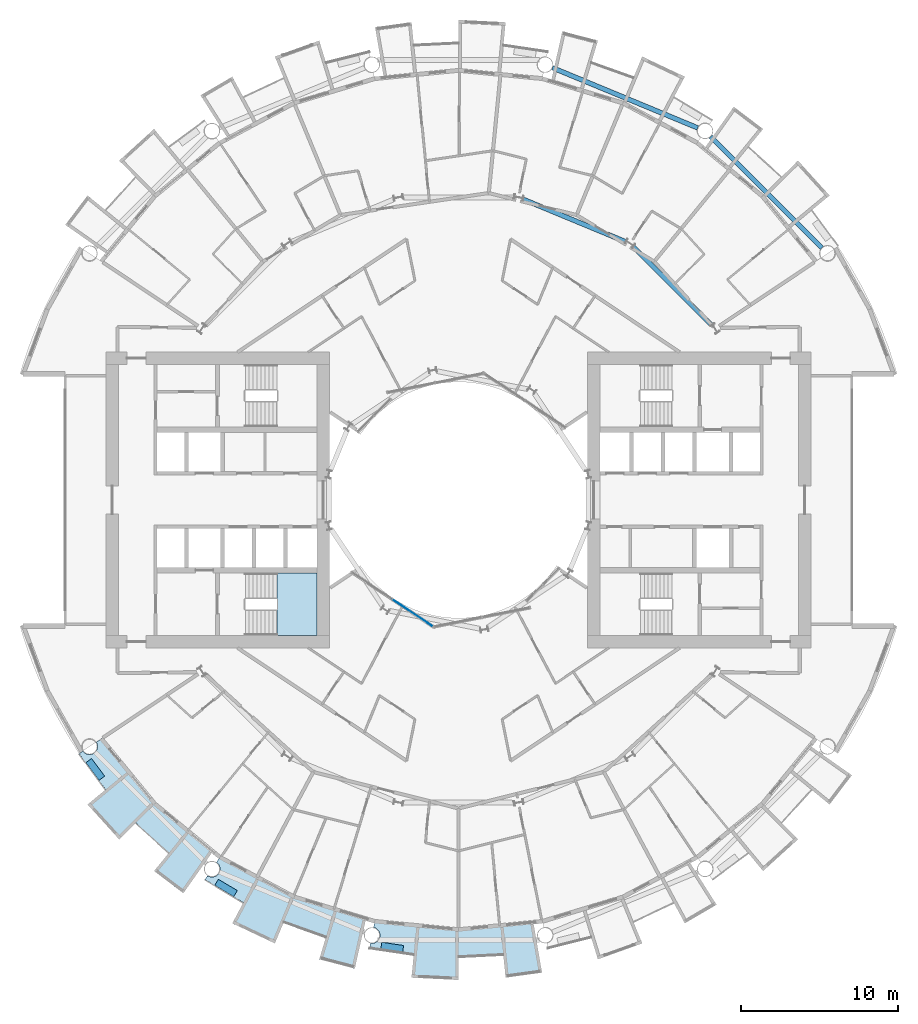
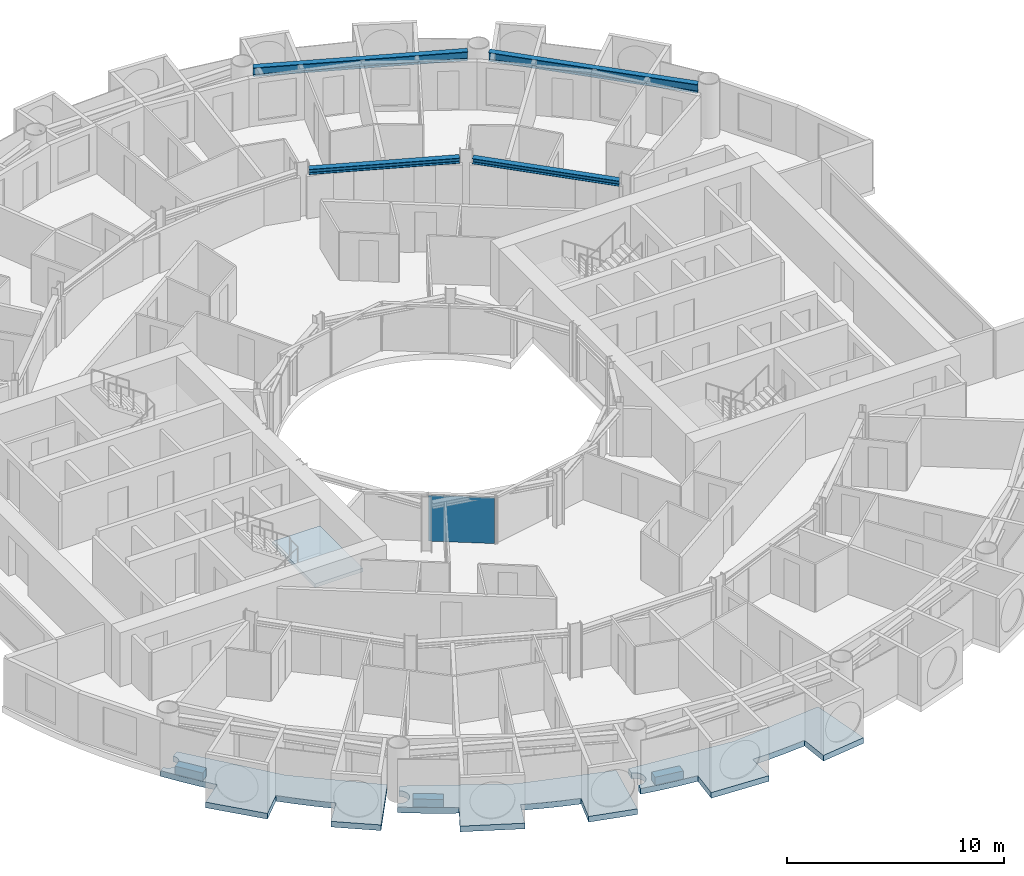
# One storey, part 9 of 26: 7 slabs, 4 beams, 1 plate, 2 elements without a shape of their own.
"""IFC4 building model written with IfcOpenShell, lengths in metres."""

from ifc_helpers import new_model, si_unit, direction, frame, origin, origin_2d, place, context, subcontext, project, spatial, polyline, rectangle, i_section, outline, extrude, material, layer, layer_set, material_profile, profile_set, type_object, element, aggregate, save


model = new_model("IFC4")

# Units and contexts
model_context = context("Model", 3, precision=1e-05, world=origin(), true_north=direction((0.0, 1.0)))
body_context = subcontext(model_context, "Body", "Model", "MODEL_VIEW")
ifc_project = project(units=[si_unit("LENGTHUNIT", "METRE"), si_unit("AREAUNIT", "SQUARE_METRE"), si_unit("VOLUMEUNIT", "CUBIC_METRE"), si_unit("PLANEANGLEUNIT", "RADIAN"), si_unit("MASSUNIT", "GRAM", prefix="KILO")], contexts=[model_context])

# Site, building, storey
site_placement = place(None, origin())
site = spatial("IfcSite", under=ifc_project, at=site_placement, CompositionType="ELEMENT")
building_placement = place(site_placement, origin())
building = spatial("IfcBuilding", under=site, at=building_placement, Name="Maasbend Ring Residences", CompositionType="ELEMENT")
storey_placement = place(building_placement, frame((0.0, 0.0, 31.949951171875)))
storey = spatial("IfcBuildingStorey", under=building, at=storey_placement, Name="L08", CompositionType="ELEMENT", Elevation=31.949951171875)

# Beams
ifc_material_1 = material(Name="Steel S355J2", Category="steel")
ifc_material_profile_1 = material_profile(ifc_material_1, i_section(OverallWidth=0.300048828125, OverallDepth=0.300048828125, WebThickness=0.010986328125, FlangeThickness=0.01904296875, FilletRadius=0.027099609375, at=origin_2d()), Name="HEB 300")
ifc_profile_set_1 = profile_set([ifc_material_profile_1], Name="Steel S355J2")
beam_type_1 = type_object("IfcBeamType", Name="Corridor ring beam HEB 300", PredefinedType="BEAM", material=ifc_profile_set_1)
beam_1_placement = place(storey_placement, frame((16.0732421875, 11.11279296875, 2.550048828125), z_axis=(-0.707106781187, 0.707106781187, 0.0), x_axis=(-0.707106781187, -0.707106781187, 0.0)))
element("IfcBeam", 1, at=beam_1_placement, inside=storey, type_object=beam_type_1, Name="Corridor ring beam", PredefinedType="BEAM", context=body_context, shape_type="SweptSolid", body=[
    extrude(i_section(OverallWidth=0.300048828125, OverallDepth=0.300048828125, WebThickness=0.010986328125, FlangeThickness=0.01904296875, FilletRadius=0.027099609375, at=origin_2d()), origin(), (0.0, 0.0, 1.0), 7.01513671875),
])
beam_2_placement = place(storey_placement, frame((10.59716796875, 16.417724609375, 2.550048828125), z_axis=(-0.923886196809, 0.38266734293, 0.0), x_axis=(-0.38266734293, -0.923886196809, 0.0)))
element("IfcBeam", 2, at=beam_2_placement, inside=storey, type_object=beam_type_1, Name="Corridor ring beam", PredefinedType="BEAM", context=body_context, shape_type="SweptSolid", body=[
    extrude(i_section(OverallWidth=0.300048828125, OverallDepth=0.300048828125, WebThickness=0.010986328125, FlangeThickness=0.01904296875, FilletRadius=0.027099609375, at=origin_2d()), origin(), (0.0, 0.0, 1.0), 7.015380859375),
])
ifc_material_2 = material(Name="Steel S355J2", Category="steel")
ifc_material_profile_2 = material_profile(ifc_material_2, i_section(OverallWidth=0.300048828125, OverallDepth=0.5, WebThickness=0.014404296875, FlangeThickness=0.028076171875, FilletRadius=0.027099609375, at=origin_2d()), Name="HEB 500")
ifc_profile_set_2 = profile_set([ifc_material_profile_2], Name="Steel S355J2")
beam_type_2 = type_object("IfcBeamType", Name="Spandrel ring beam HEB 500", PredefinedType="SPANDREL", material=ifc_profile_set_2)
beam_3_placement = place(storey_placement, frame((23.088134765625, 16.0263671875, 2.449951171875), z_axis=(-0.707106781187, 0.707106781187, 0.0), x_axis=(-0.707106781187, -0.707106781187, 0.0)))
element("IfcBeam", 3, at=beam_3_placement, inside=storey, type_object=beam_type_2, Name="Spandrel ring beam", PredefinedType="SPANDREL", context=body_context, shape_type="SweptSolid", body=[
    extrude(i_section(OverallWidth=0.300048828125, OverallDepth=0.5, WebThickness=0.014404296875, FlangeThickness=0.028076171875, FilletRadius=0.027099609375, at=origin_2d()), origin(), (0.0, 0.0, 1.0), 9.98681640625),
])
beam_4_placement = place(storey_placement, frame((15.19775390625, 23.641845703125, 2.449951171875), z_axis=(-0.923886337442, 0.382667003395, 0.0), x_axis=(-0.382667003395, -0.923886337442, 0.0)))
element("IfcBeam", 4, at=beam_4_placement, inside=storey, type_object=beam_type_2, Name="Spandrel ring beam", PredefinedType="SPANDREL", context=body_context, shape_type="SweptSolid", body=[
    extrude(i_section(OverallWidth=0.300048828125, OverallDepth=0.5, WebThickness=0.014404296875, FlangeThickness=0.028076171875, FilletRadius=0.027099609375, at=origin_2d()), origin(), (0.0, 0.0, 1.0), 9.9873046875),
])

# Stair, slab
ifc_material_3 = material(Name="Concrete C40/50", Category="concrete")
stair_type = type_object("IfcStairType", Name="CORE STAIR 18 RISERS", PredefinedType="HALF_TURN_STAIR", material=ifc_material_3)
stair_placement = place(storey_placement, origin())
stair = element("IfcStair", 5, at=stair_placement, inside=storey, type_object=stair_type, Name="L08 Exit stair ST-W1", PredefinedType="HALF_TURN_STAIR")
ifc_material_4 = material(Name="Concrete C40/50", Category="concrete")
ifc_layer_1 = layer(ifc_material_4, 0.199951171875)
ifc_layer_set_1 = layer_set([ifc_layer_1], Name="Concrete C40/50")
slab_type_1 = type_object("IfcSlabType", Name="CORE STAIR LANDING 200", PredefinedType="LANDING", material=ifc_layer_set_1)
slab_1_placement = place(storey_placement, frame((0.0, 0.0, 1.324951171875)))
slab_1 = element("IfcSlab", 6, at=slab_1_placement, type_object=slab_type_1, Name="ST-W1 landing 1", PredefinedType="LANDING", context=body_context, shape_type="SweptSolid", body=[
    extrude(outline(polyline([(-11.550048828125, -8.60009765625), (-9.0, -8.60009765625), (-9.0, -4.64990234375), (-11.550048828125, -4.64990234375), (-11.550048828125, -8.60009765625)])), origin(), (0.0, 0.0, 1.0), 0.2001953125),
])
aggregate(stair, [slab_1])

# Curtain wall, plate
ifc_material_5 = material(Name="Aluminium and clear glass", Category="aluminium")
ifc_layer_2 = layer(ifc_material_5, 0.179931640625)
ifc_layer_set_2 = layer_set([ifc_layer_2], Name="CW-W")
curtain_wall_type = type_object("IfcCurtainWallType", Name="CW-W", PredefinedType="NOTDEFINED", material=ifc_layer_set_2)
curtain_wall_placement = place(storey_placement, origin())
curtain_wall = element("IfcCurtainWall", 7, at=curtain_wall_placement, inside=storey, type_object=curtain_wall_type, Name="Well curtain wall S1", PredefinedType="NOTDEFINED")
ifc_material_6 = material(Name="Glass clear laminated", Category="glass")
ifc_layer_3 = layer(ifc_material_6, 0.031982421875)
ifc_layer_set_3 = layer_set([ifc_layer_3], Name="CWP-W")
plate_type = type_object("IfcPlateType", Name="CWP-W", PredefinedType="CURTAIN_PANEL", material=ifc_layer_set_3)
plate_placement = place(storey_placement, frame((-2.922119140625, -7.17578125, 0.0), z_axis=(0.0, 0.0, 1.0), x_axis=(0.831469612303, -0.55557023302, 0.0)))
plate = element("IfcPlate", 8, at=plate_placement, type_object=plate_type, Name="Glass panel well face", PredefinedType="CURTAIN_PANEL", context=body_context, shape_type="SweptSolid", body=[
    extrude(rectangle(XDim=3.053955078125, YDim=0.031982421875, at=origin_2d()), origin(), (0.0, 0.0, 1.0), 2.580078125),
])
aggregate(curtain_wall, [plate])

# Slabs
ifc_material_7 = material(Name="Planting with climbing greenery")
ifc_layer_4 = layer(ifc_material_7, 0.449951171875)
ifc_layer_set_4 = layer_set([ifc_layer_4], Name="PLANTER-LG")
slab_type_2 = type_object("IfcSlabType", Name="PLANTER-LG", PredefinedType="USERDEFINED", material=ifc_layer_set_4)
slab_2_placement = place(storey_placement, frame((0.0, 0.0, -0.030029296875)))
element("IfcSlab", 9, at=slab_2_placement, inside=storey, type_object=slab_type_2, Name="Planter with climbing greenery 1", ObjectType="PLANTER", PredefinedType="USERDEFINED", context=body_context, shape_type="SweptSolid", body=[
    extrude(outline(polyline([(-23.681884765625, -16.69189453125), (-22.847900390625, -17.81689453125), (-22.487060546875, -17.549072265625), (-23.321044921875, -16.424072265625), (-23.681884765625, -16.69189453125)])), origin(), (0.0, 0.0, 1.0), 0.4501953125),
])
slab_3_placement = place(storey_placement, frame((0.0, 0.0, -0.030029296875)))
element("IfcSlab", 10, at=slab_3_placement, inside=storey, type_object=slab_type_2, Name="Planter with climbing greenery 2", ObjectType="PLANTER", PredefinedType="USERDEFINED", context=body_context, shape_type="SweptSolid", body=[
    extrude(outline(polyline([(-15.490966796875, -24.48388671875), (-14.291015625, -25.2041015625), (-14.05908203125, -24.818115234375), (-15.260009765625, -24.097900390625), (-15.490966796875, -24.48388671875)])), origin(), (0.0, 0.0, 1.0), 0.4501953125),
])
slab_4_placement = place(storey_placement, frame((0.0, 0.0, -0.030029296875)))
element("IfcSlab", 11, at=slab_4_placement, inside=storey, type_object=slab_type_2, Name="Planter with climbing greenery 3", ObjectType="PLANTER", PredefinedType="USERDEFINED", context=body_context, shape_type="SweptSolid", body=[
    extrude(outline(polyline([(-4.94189453125, -28.549072265625), (-3.55810546875, -28.75390625), (-3.491943359375, -28.30908203125), (-4.8759765625, -28.10400390625), (-4.94189453125, -28.549072265625)])), origin(), (0.0, 0.0, 1.0), 0.4501953125),
])
ifc_material_8 = material(Name="Concrete C40/50", Category="concrete")
ifc_layer_5 = layer(ifc_material_8, 0.199951171875)
ifc_layer_set_5 = layer_set([ifc_layer_5], Name="Concrete C40/50")
slab_type_3 = type_object("IfcSlabType", Name="SL-LOGGIA", PredefinedType="FLOOR", material=ifc_layer_set_5)
slab_5_placement = place(storey_placement, frame((0.0, 0.0, -0.349853515625)))
element("IfcSlab", 12, at=slab_5_placement, inside=storey, type_object=slab_type_3, Name="Loggia floor 1", PredefinedType="FLOOR", context=body_context, shape_type="SweptSolid", body=[
    extrude(outline(polyline([(-15.9169921875, -23.888916015625), (-15.906982421875, -23.89501953125), (-15.89599609375, -23.90087890625), (-15.884033203125, -23.906982421875), (-15.873046875, -23.912109375), (-15.862060546875, -23.9169921875), (-15.85009765625, -23.9208984375), (-15.837890625, -23.926025390625), (-15.825927734375, -23.929931640625), (-15.81494140625, -23.93408203125), (-15.802978515625, -23.93701171875), (-15.791015625, -23.93994140625), (-15.778076171875, -23.943115234375), (-15.76611328125, -23.946044921875), (-15.75390625, -23.947998046875), (-15.741943359375, -23.949951171875), (-15.72900390625, -23.951904296875), (-15.717041015625, -23.952880859375), (-15.7041015625, -23.9541015625), (-15.69189453125, -23.955078125), (-15.679931640625, -23.955078125), (-15.6669921875, -23.955078125), (-15.655029296875, -23.955078125), (-15.64208984375, -23.955078125), (-15.6298828125, -23.9541015625), (-15.616943359375, -23.952880859375), (-15.60498046875, -23.951904296875), (-15.593017578125, -23.949951171875), (-15.580078125, -23.947998046875), (-15.568115234375, -23.946044921875), (-15.555908203125, -23.943115234375), (-15.5439453125, -23.93994140625), (-15.531982421875, -23.93701171875), (-15.52001953125, -23.93408203125), (-15.508056640625, -23.929931640625), (-15.49609375, -23.926025390625), (-15.48388671875, -23.9208984375), (-15.472900390625, -23.9169921875), (-15.4609375, -23.912109375), (-15.449951171875, -23.906982421875), (-15.43896484375, -23.90087890625), (-15.427978515625, -23.89501953125), (-15.4169921875, -23.888916015625), (-15.406005859375, -23.883056640625), (-15.39501953125, -23.876953125), (-15.385009765625, -23.8701171875), (-15.375, -23.863037109375), (-15.364013671875, -23.85498046875), (-15.35498046875, -23.847900390625), (-15.344970703125, -23.840087890625), (-15.3349609375, -23.83203125), (-15.325927734375, -23.823974609375), (-15.31689453125, -23.81494140625), (-15.30810546875, -23.806884765625), (-15.299072265625, -23.798095703125), (-15.291015625, -23.7890625), (-15.281982421875, -23.779052734375), (-15.27392578125, -23.77001953125), (-15.26708984375, -23.760009765625), (-15.259033203125, -23.75), (-15.251953125, -23.739990234375), (-15.2451171875, -23.72998046875), (-15.238037109375, -23.718994140625), (-15.23095703125, -23.708984375), (-15.22509765625, -23.697998046875), (-15.218994140625, -23.68701171875), (-15.212890625, -23.676025390625), (-15.2080078125, -23.6650390625), (-15.202880859375, -23.653076171875), (-15.197998046875, -23.64208984375), (-15.193115234375, -23.6298828125), (-15.18896484375, -23.618896484375), (-15.18505859375, -23.60693359375), (-15.180908203125, -23.594970703125), (-15.177978515625, -23.5830078125), (-15.174072265625, -23.571044921875), (-15.1708984375, -23.55908203125), (-15.1689453125, -23.547119140625), (-15.1669921875, -23.533935546875), (-15.1650390625, -23.52197265625), (-15.1630859375, -23.510009765625), (-15.162109375, -23.4970703125), (-15.159912109375, -23.485107421875), (-15.159912109375, -23.471923828125), (-15.158935546875, -23.4599609375), (-15.158935546875, -23.447021484375), (-15.158935546875, -23.43505859375), (-15.159912109375, -23.422119140625), (-15.159912109375, -23.409912109375), (-15.162109375, -23.39794921875), (-15.1630859375, -23.385009765625), (-15.1650390625, -23.373046875), (-15.1669921875, -23.361083984375), (-15.1689453125, -23.347900390625), (-15.1708984375, -23.3359375), (-15.174072265625, -23.323974609375), (-15.177978515625, -23.31201171875), (-15.180908203125, -23.300048828125), (-15.18505859375, -23.2880859375), (-15.18896484375, -23.27587890625), (-15.193115234375, -23.264892578125), (-15.197998046875, -23.2529296875), (-15.202880859375, -23.241943359375), (-15.2080078125, -23.22998046875), (-15.212890625, -23.218994140625), (-15.218994140625, -23.2080078125), (-15.22509765625, -23.197021484375), (-15.23095703125, -23.18603515625), (-15.238037109375, -23.176025390625), (-15.2451171875, -23.1650390625), (-15.251953125, -23.155029296875), (-15.259033203125, -23.14501953125), (-15.26708984375, -23.135009765625), (-15.27392578125, -23.125), (-15.281982421875, -23.115966796875), (-15.291015625, -23.10595703125), (-15.299072265625, -23.096923828125), (-15.30810546875, -23.087890625), (-15.31689453125, -23.0791015625), (-15.325927734375, -23.071044921875), (-15.3349609375, -23.06298828125), (-15.344970703125, -23.054931640625), (-15.35498046875, -23.047119140625), (-15.364013671875, -23.0390625), (-15.375, -23.031982421875), (-15.385009765625, -23.02490234375), (-15.1669921875, -22.698974609375), (-15.1669921875, -22.698974609375), (-15.1669921875, -22.698974609375), (-12.806884765625, -23.9609375), (-10.447021484375, -25.221923828125), (-10.447021484375, -25.221923828125), (-10.447021484375, -25.221923828125), (-7.886962890625, -25.9990234375), (-5.89111328125, -26.60400390625), (-5.89111328125, -26.60400390625), (-5.89111328125, -26.60400390625), (-6.593994140625, -29.779052734375), (-6.593994140625, -29.779052734375), (-6.593994140625, -29.779052734375), (-8.85400390625, -29.18701171875), (-8.85400390625, -29.18701171875), (-8.85400390625, -29.18701171875), (-8.41796875, -27.751953125), (-8.41796875, -27.751953125), (-8.41796875, -27.751953125), (-8.41796875, -27.751953125), (-8.41796875, -27.751953125), (-8.41796875, -27.751953125), (-8.41796875, -27.7509765625), (-8.41796875, -27.7509765625), (-8.41796875, -27.7509765625), (-8.41796875, -27.7509765625), (-8.41796875, -27.7509765625), (-8.4189453125, -27.7509765625), (-8.4189453125, -27.7509765625), (-8.4189453125, -27.7509765625), (-8.4189453125, -27.7509765625), (-8.4189453125, -27.7509765625), (-8.4189453125, -27.7509765625), (-9.322021484375, -27.4609375), (-9.322021484375, -27.4609375), (-10.215087890625, -27.14111328125), (-10.215087890625, -27.14111328125), (-11.096923828125, -26.79296875), (-11.096923828125, -26.79296875), (-11.096923828125, -26.79296875), (-11.097900390625, -26.79296875), (-11.097900390625, -26.79296875), (-11.097900390625, -26.79296875), (-11.097900390625, -26.79296875), (-11.097900390625, -26.79296875), (-11.097900390625, -26.79296875), (-11.097900390625, -26.79296875), (-11.097900390625, -26.79296875), (-11.097900390625, -26.79296875), (-11.097900390625, -26.79296875), (-11.097900390625, -26.79296875), (-11.097900390625, -26.79296875), (-11.097900390625, -26.79296875), (-11.097900390625, -26.79296875), (-11.672119140625, -28.177978515625), (-11.672119140625, -28.177978515625), (-11.672119140625, -28.177978515625), (-14.3779296875, -26.89892578125), (-14.3779296875, -26.89892578125), (-14.3779296875, -26.89892578125), (-13.6708984375, -25.575927734375), (-13.6708984375, -25.575927734375), (-13.6708984375, -25.575927734375), (-13.6708984375, -25.575927734375), (-13.6708984375, -25.575927734375), (-13.6708984375, -25.575927734375), (-13.6708984375, -25.575927734375), (-13.6708984375, -25.575927734375), (-13.6708984375, -25.575927734375), (-13.6708984375, -25.575927734375), (-13.6708984375, -25.575927734375), (-13.6708984375, -25.575927734375), (-13.6708984375, -25.575927734375), (-13.6708984375, -25.575927734375), (-13.6708984375, -25.575927734375), (-13.6708984375, -25.575927734375), (-13.6708984375, -25.574951171875), (-14.5, -25.114990234375), (-14.5, -25.114990234375), (-15.31396484375, -24.626953125), (-15.31396484375, -24.626953125), (-16.112060546875, -24.113037109375), (-16.112060546875, -24.113037109375), (-16.112060546875, -24.113037109375), (-15.948974609375, -23.8701171875), (-15.93896484375, -23.876953125), (-15.927978515625, -23.883056640625), (-15.9169921875, -23.888916015625)])), origin(), (0.0, 0.0, 1.0), 0.31982421875),
])
slab_6_placement = place(storey_placement, frame((0.0, 0.0, -0.349853515625)))
element("IfcSlab", 13, at=slab_6_placement, inside=storey, type_object=slab_type_3, Name="Loggia floor 3", PredefinedType="FLOOR", context=body_context, shape_type="SweptSolid", body=[
    extrude(outline(polyline([(-2.6630859375, -27.0380859375), (0.0, -27.300048828125), (0.0, -27.300048828125), (0.0, -27.300048828125), (2.6630859375, -27.0380859375), (4.739013671875, -26.8330078125), (4.739013671875, -26.8330078125), (4.739013671875, -26.8330078125), (5.303955078125, -30.034912109375), (5.303955078125, -30.034912109375), (5.303955078125, -30.034912109375), (2.989990234375, -30.35302734375), (2.989990234375, -30.35302734375), (2.989990234375, -30.35302734375), (2.843017578125, -28.861083984375), (2.843017578125, -28.861083984375), (2.843017578125, -28.861083984375), (2.843017578125, -28.861083984375), (2.842041015625, -28.861083984375), (2.842041015625, -28.861083984375), (2.842041015625, -28.861083984375), (2.842041015625, -28.861083984375), (2.842041015625, -28.861083984375), (2.842041015625, -28.860107421875), (2.842041015625, -28.860107421875), (2.842041015625, -28.860107421875), (2.842041015625, -28.860107421875), (2.842041015625, -28.860107421875), (2.842041015625, -28.860107421875), (2.842041015625, -28.860107421875), (2.842041015625, -28.860107421875), (1.89697265625, -28.93798828125), (1.89697265625, -28.93798828125), (0.948974609375, -28.98388671875), (0.948974609375, -28.98388671875), (0.0, -29.0), (0.0, -29.0), (0.0, -29.0), (0.0, -29.0), (0.0, -29.0), (0.0, -29.0), (0.0, -29.0), (0.0, -29.0), (0.0, -29.0), (0.0, -29.0), (0.0, -29.0), (0.0, -29.0), (0.0, -29.0), (0.0, -29.0), (0.0, -29.0), (0.0, -29.0), (0.0, -29.0), (0.0, -30.5), (0.0, -30.5), (0.0, -30.5), (-2.989990234375, -30.35302734375), (-2.989990234375, -30.35302734375), (-2.989990234375, -30.35302734375), (-2.843017578125, -28.861083984375), (-2.843017578125, -28.861083984375), (-2.843017578125, -28.861083984375), (-2.843017578125, -28.861083984375), (-2.843017578125, -28.861083984375), (-2.843017578125, -28.861083984375), (-2.843017578125, -28.861083984375), (-2.843017578125, -28.861083984375), (-2.843017578125, -28.860107421875), (-2.843017578125, -28.860107421875), (-2.843017578125, -28.860107421875), (-2.843017578125, -28.860107421875), (-2.843017578125, -28.860107421875), (-2.843017578125, -28.860107421875), (-2.843017578125, -28.860107421875), (-2.843017578125, -28.860107421875), (-2.843017578125, -28.860107421875), (-3.784912109375, -28.751953125), (-3.784912109375, -28.751953125), (-4.72412109375, -28.613037109375), (-4.72412109375, -28.613037109375), (-5.657958984375, -28.443115234375), (-5.657958984375, -28.443115234375), (-5.657958984375, -28.443115234375), (-5.60107421875, -28.156005859375), (-5.60107421875, -28.156005859375), (-5.587890625, -28.158935546875), (-5.575927734375, -28.160888671875), (-5.56396484375, -28.162109375), (-5.551025390625, -28.1640625), (-5.5390625, -28.1650390625), (-5.52587890625, -28.1650390625), (-5.513916015625, -28.166015625), (-5.501953125, -28.166015625), (-5.489013671875, -28.166015625), (-5.47705078125, -28.1650390625), (-5.464111328125, -28.1650390625), (-5.451904296875, -28.1640625), (-5.43896484375, -28.162109375), (-5.427001953125, -28.160888671875), (-5.4150390625, -28.158935546875), (-5.402099609375, -28.156005859375), (-5.389892578125, -28.154052734375), (-5.3779296875, -28.15087890625), (-5.365966796875, -28.14794921875), (-5.35400390625, -28.14404296875), (-5.342041015625, -28.139892578125), (-5.330078125, -28.135986328125), (-5.319091796875, -28.132080078125), (-5.306884765625, -28.126953125), (-5.2958984375, -28.123046875), (-5.283935546875, -28.116943359375), (-5.27294921875, -28.112060546875), (-5.261962890625, -28.10595703125), (-5.2509765625, -28.10009765625), (-5.239990234375, -28.093994140625), (-5.22998046875, -28.0869140625), (-5.218994140625, -28.080078125), (-5.208984375, -28.072998046875), (-5.198974609375, -28.06591796875), (-5.18896484375, -28.05908203125), (-5.178955078125, -28.051025390625), (-5.169921875, -28.04296875), (-5.159912109375, -28.034912109375), (-5.15087890625, -28.02587890625), (-5.14208984375, -28.01708984375), (-5.134033203125, -28.008056640625), (-5.125, -27.9990234375), (-5.116943359375, -27.989990234375), (-5.10888671875, -27.97998046875), (-5.10107421875, -27.970947265625), (-5.093017578125, -27.9609375), (-5.0859375, -27.950927734375), (-5.0791015625, -27.93994140625), (-5.072021484375, -27.929931640625), (-5.06591796875, -27.9189453125), (-5.05908203125, -27.907958984375), (-5.052978515625, -27.89794921875), (-5.048095703125, -27.886962890625), (-5.0419921875, -27.875), (-5.037109375, -27.864013671875), (-5.031982421875, -27.85302734375), (-5.028076171875, -27.841064453125), (-5.02294921875, -27.8291015625), (-5.01904296875, -27.81689453125), (-5.014892578125, -27.805908203125), (-5.011962890625, -27.7939453125), (-5.009033203125, -27.781982421875), (-5.006103515625, -27.76904296875), (-5.0029296875, -27.757080078125), (-5.0009765625, -27.7451171875), (-4.9990234375, -27.73291015625), (-4.9970703125, -27.719970703125), (-4.99609375, -27.7080078125), (-4.9951171875, -27.695068359375), (-4.993896484375, -27.68310546875), (-4.993896484375, -27.6708984375), (-4.993896484375, -27.657958984375), (-4.993896484375, -27.64599609375), (-4.993896484375, -27.633056640625), (-4.9951171875, -27.62109375), (-4.99609375, -27.60791015625), (-4.9970703125, -27.595947265625), (-4.9990234375, -27.583984375), (-5.0009765625, -27.571044921875), (-5.0029296875, -27.55908203125), (-5.006103515625, -27.547119140625), (-5.009033203125, -27.534912109375), (-5.011962890625, -27.52294921875), (-5.014892578125, -27.510986328125), (-5.01904296875, -27.4990234375), (-5.02294921875, -27.487060546875), (-5.028076171875, -27.47509765625), (-5.031982421875, -27.464111328125), (-5.037109375, -27.451904296875), (-5.0419921875, -27.44091796875), (-5.048095703125, -27.429931640625), (-5.052978515625, -27.4189453125), (-5.05908203125, -27.407958984375), (-5.06591796875, -27.39697265625), (-5.072021484375, -27.385986328125), (-5.0791015625, -27.3759765625), (-5.0859375, -27.365966796875), (-5.093017578125, -27.35498046875), (-5.10107421875, -27.345947265625), (-5.10888671875, -27.3359375), (-5.116943359375, -27.325927734375), (-5.125, -27.31689453125), (-5.134033203125, -27.30810546875), (-5.14208984375, -27.299072265625), (-5.15087890625, -27.2900390625), (-5.159912109375, -27.281982421875), (-5.169921875, -27.27294921875), (-5.178955078125, -27.264892578125), (-5.18896484375, -27.258056640625), (-5.198974609375, -27.25), (-5.208984375, -27.242919921875), (-5.218994140625, -27.236083984375), (-5.22998046875, -27.22900390625), (-5.239990234375, -27.221923828125), (-5.2509765625, -27.216064453125), (-5.261962890625, -27.2099609375), (-5.27294921875, -27.2041015625), (-5.283935546875, -27.198974609375), (-5.2958984375, -27.194091796875), (-5.306884765625, -27.18896484375), (-5.319091796875, -27.18408203125), (-5.330078125, -27.179931640625), (-5.342041015625, -27.176025390625), (-5.35400390625, -27.172119140625), (-5.365966796875, -27.1689453125), (-5.3779296875, -27.1650390625), (-5.389892578125, -27.162109375), (-5.402099609375, -27.159912109375), (-5.402099609375, -27.159912109375), (-5.325927734375, -26.77490234375), (-5.325927734375, -26.77490234375), (-5.325927734375, -26.77490234375), (-2.6630859375, -27.0380859375)])), origin(), (0.0, 0.0, 1.0), 0.31982421875),
])
slab_7_placement = place(storey_placement, frame((0.0, 0.0, -0.349853515625)))
element("IfcSlab", 14, at=slab_7_placement, inside=storey, type_object=slab_type_3, Name="Loggia floor 4", PredefinedType="FLOOR", context=body_context, shape_type="SweptSolid", body=[
    extrude(outline(polyline([(-23.85498046875, -15.969970703125), (-23.847900390625, -15.97998046875), (-23.840087890625, -15.989013671875), (-23.83203125, -15.9990234375), (-23.823974609375, -16.008056640625), (-23.81494140625, -16.01708984375), (-23.806884765625, -16.02587890625), (-23.798095703125, -16.034912109375), (-23.7890625, -16.0439453125), (-23.779052734375, -16.052001953125), (-23.77001953125, -16.06005859375), (-23.760009765625, -16.068115234375), (-23.75, -16.074951171875), (-23.739990234375, -16.08203125), (-23.72998046875, -16.089111328125), (-23.718994140625, -16.095947265625), (-23.708984375, -16.10302734375), (-23.697998046875, -16.10888671875), (-23.68701171875, -16.114990234375), (-23.676025390625, -16.12109375), (-23.6650390625, -16.1259765625), (-23.653076171875, -16.132080078125), (-23.64208984375, -16.135986328125), (-23.6298828125, -16.14111328125), (-23.618896484375, -16.14501953125), (-23.60693359375, -16.14892578125), (-23.594970703125, -16.153076171875), (-23.5830078125, -16.156982421875), (-23.571044921875, -16.159912109375), (-23.55908203125, -16.1630859375), (-23.547119140625, -16.1650390625), (-23.533935546875, -16.16796875), (-23.52197265625, -16.169921875), (-23.510009765625, -16.1708984375), (-23.4970703125, -16.173095703125), (-23.485107421875, -16.174072265625), (-23.471923828125, -16.174072265625), (-23.4599609375, -16.175048828125), (-23.447021484375, -16.175048828125), (-23.43505859375, -16.175048828125), (-23.422119140625, -16.174072265625), (-23.409912109375, -16.174072265625), (-23.39794921875, -16.173095703125), (-23.385009765625, -16.1708984375), (-23.373046875, -16.169921875), (-23.361083984375, -16.16796875), (-23.347900390625, -16.1650390625), (-23.3359375, -16.1630859375), (-23.323974609375, -16.159912109375), (-23.31201171875, -16.156982421875), (-23.300048828125, -16.153076171875), (-23.2880859375, -16.14892578125), (-23.27587890625, -16.14501953125), (-23.264892578125, -16.14111328125), (-23.2529296875, -16.135986328125), (-23.241943359375, -16.132080078125), (-23.22998046875, -16.1259765625), (-23.218994140625, -16.12109375), (-23.2080078125, -16.114990234375), (-23.197021484375, -16.10888671875), (-23.18603515625, -16.10302734375), (-23.176025390625, -16.095947265625), (-23.1650390625, -16.089111328125), (-23.155029296875, -16.08203125), (-23.14501953125, -16.074951171875), (-23.135009765625, -16.068115234375), (-23.125, -16.06005859375), (-23.115966796875, -16.052001953125), (-23.10595703125, -16.0439453125), (-23.096923828125, -16.034912109375), (-23.087890625, -16.02587890625), (-23.0791015625, -16.01708984375), (-23.071044921875, -16.008056640625), (-23.06298828125, -15.9990234375), (-23.054931640625, -15.989013671875), (-23.047119140625, -15.97998046875), (-23.0390625, -15.969970703125), (-23.031982421875, -15.9599609375), (-23.02490234375, -15.948974609375), (-23.01806640625, -15.93896484375), (-23.011962890625, -15.927978515625), (-23.0048828125, -15.9169921875), (-22.9990234375, -15.906982421875), (-22.993896484375, -15.89599609375), (-22.988037109375, -15.884033203125), (-22.98291015625, -15.873046875), (-22.97802734375, -15.862060546875), (-22.972900390625, -15.85009765625), (-22.968994140625, -15.837890625), (-22.965087890625, -15.825927734375), (-22.9609375, -15.81494140625), (-22.9580078125, -15.802978515625), (-22.955078125, -15.791015625), (-22.951904296875, -15.778076171875), (-22.948974609375, -15.76611328125), (-22.947021484375, -15.75390625), (-22.945068359375, -15.741943359375), (-22.943115234375, -15.72900390625), (-22.94189453125, -15.717041015625), (-22.94091796875, -15.7041015625), (-22.93994140625, -15.69189453125), (-22.93994140625, -15.679931640625), (-22.93896484375, -15.6669921875), (-22.93994140625, -15.655029296875), (-22.93994140625, -15.64208984375), (-22.94091796875, -15.6298828125), (-22.94189453125, -15.616943359375), (-22.943115234375, -15.60498046875), (-22.945068359375, -15.593017578125), (-22.947021484375, -15.580078125), (-22.948974609375, -15.568115234375), (-22.951904296875, -15.555908203125), (-22.955078125, -15.5439453125), (-22.9580078125, -15.531982421875), (-22.9609375, -15.52001953125), (-22.965087890625, -15.508056640625), (-22.968994140625, -15.49609375), (-22.972900390625, -15.48388671875), (-22.97802734375, -15.472900390625), (-22.98291015625, -15.4609375), (-22.988037109375, -15.449951171875), (-22.993896484375, -15.43896484375), (-22.9990234375, -15.427978515625), (-23.0048828125, -15.4169921875), (-23.011962890625, -15.406005859375), (-23.01806640625, -15.39501953125), (-23.02490234375, -15.385009765625), (-23.02490234375, -15.385009765625), (-22.698974609375, -15.1669921875), (-22.698974609375, -15.1669921875), (-22.698974609375, -15.1669921875), (-21.001953125, -17.236083984375), (-19.303955078125, -19.303955078125), (-19.303955078125, -19.303955078125), (-19.303955078125, -19.303955078125), (-17.236083984375, -21.001953125), (-15.623046875, -22.324951171875), (-15.623046875, -22.324951171875), (-15.623046875, -22.324951171875), (-17.488037109375, -24.989013671875), (-17.488037109375, -24.989013671875), (-17.488037109375, -24.989013671875), (-19.34912109375, -23.576904296875), (-19.34912109375, -23.576904296875), (-19.34912109375, -23.576904296875), (-18.39794921875, -22.41796875), (-18.39794921875, -22.41796875), (-18.39794921875, -22.41796875), (-18.39794921875, -22.41796875), (-18.39794921875, -22.41796875), (-18.39794921875, -22.4169921875), (-18.39794921875, -22.4169921875), (-18.39794921875, -22.4169921875), (-18.39794921875, -22.4169921875), (-18.39794921875, -22.4169921875), (-18.39794921875, -22.4169921875), (-18.39794921875, -22.4169921875), (-18.39794921875, -22.4169921875), (-18.39794921875, -22.4169921875), (-18.39794921875, -22.4169921875), (-18.39794921875, -22.4169921875), (-18.39794921875, -22.4169921875), (-19.12109375, -21.802978515625), (-19.12109375, -21.802978515625), (-19.823974609375, -21.166015625), (-19.823974609375, -21.166015625), (-20.506103515625, -20.506103515625), (-20.506103515625, -20.506103515625), (-20.506103515625, -20.506103515625), (-20.506103515625, -20.506103515625), (-20.506103515625, -20.506103515625), (-20.506103515625, -20.506103515625), (-20.506103515625, -20.506103515625), (-20.506103515625, -20.506103515625), (-20.506103515625, -20.506103515625), (-20.506103515625, -20.506103515625), (-20.506103515625, -20.506103515625), (-20.506103515625, -20.506103515625), (-20.506103515625, -20.506103515625), (-20.506103515625, -20.506103515625), (-20.506103515625, -20.506103515625), (-20.506103515625, -20.506103515625), (-20.506103515625, -20.506103515625), (-21.56689453125, -21.56689453125), (-21.56689453125, -21.56689453125), (-21.56689453125, -21.56689453125), (-23.576904296875, -19.34912109375), (-23.576904296875, -19.34912109375), (-23.576904296875, -19.34912109375), (-22.41796875, -18.39794921875), (-22.41796875, -18.39794921875), (-22.41796875, -18.39794921875), (-22.41796875, -18.39794921875), (-22.41796875, -18.39794921875), (-22.41796875, -18.39794921875), (-22.41796875, -18.39697265625), (-22.41796875, -18.39697265625), (-22.41796875, -18.39697265625), (-22.41796875, -18.39697265625), (-22.41796875, -18.39697265625), (-22.41796875, -18.39697265625), (-22.41796875, -18.39697265625), (-22.41796875, -18.39697265625), (-22.41796875, -18.39697265625), (-22.41796875, -18.39697265625), (-22.41796875, -18.39697265625), (-23.007080078125, -17.654052734375), (-23.007080078125, -17.654052734375), (-23.572998046875, -16.89208984375), (-23.572998046875, -16.89208984375), (-24.113037109375, -16.112060546875), (-24.113037109375, -16.112060546875), (-24.113037109375, -16.112060546875), (-23.8701171875, -15.948974609375), (-23.8701171875, -15.948974609375), (-23.863037109375, -15.9599609375), (-23.85498046875, -15.969970703125)])), origin(), (0.0, 0.0, 1.0), 0.31982421875),
])

save(model, "model.ifc")
